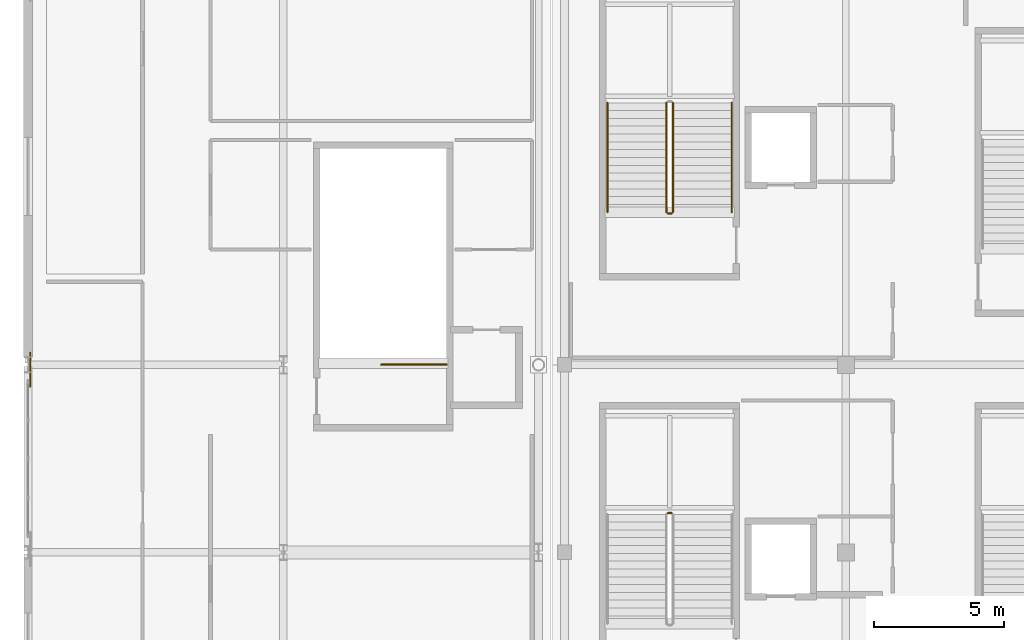
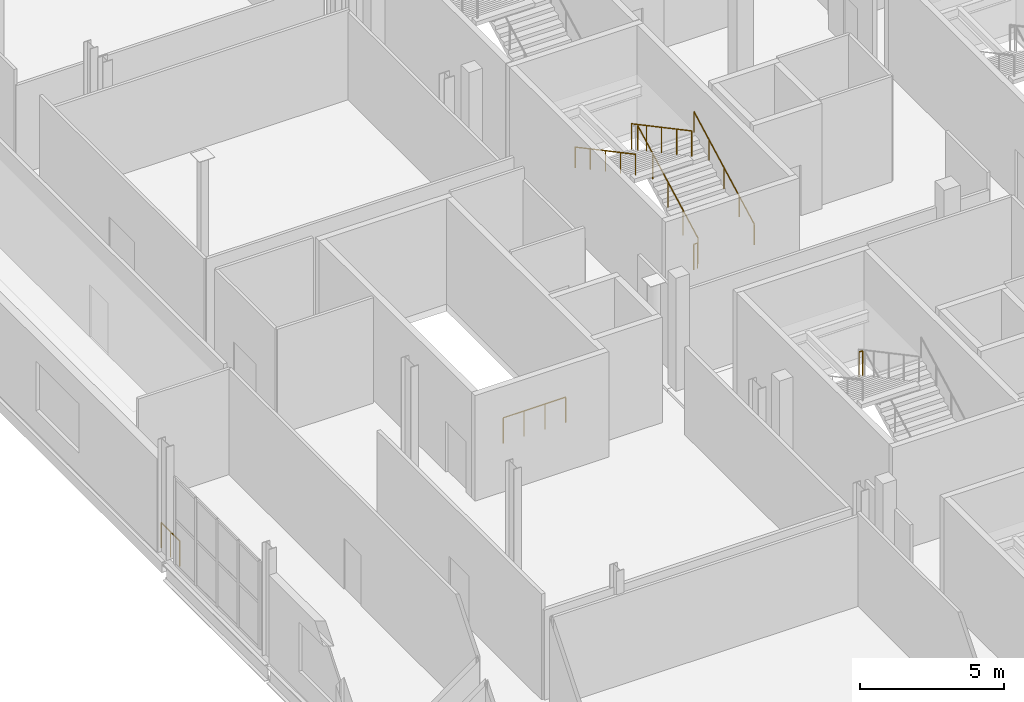
# One storey, part 114 of 142: 8 railings.
"""IFC4 building model written with IfcOpenShell, lengths in metres."""

from ifc_helpers import new_model, si_unit, direction, frame, origin, origin_2d, place, context, subcontext, project, spatial, circle, extrude, material, type_object, element, save


model = new_model("IFC4")

# Units and contexts
model_context = context("Model", 3, precision=1e-05, world=origin(), true_north=direction((0.0, 1.0)))
body_context = subcontext(model_context, "Body", "Model", "MODEL_VIEW")
ifc_project = project(units=[si_unit("LENGTHUNIT", "METRE"), si_unit("AREAUNIT", "SQUARE_METRE"), si_unit("VOLUMEUNIT", "CUBIC_METRE"), si_unit("PLANEANGLEUNIT", "RADIAN"), si_unit("MASSUNIT", "GRAM", prefix="KILO")], contexts=[model_context])

# Site, building, storey
site_placement = place(None, origin())
site = spatial("IfcSite", under=ifc_project, at=site_placement, CompositionType="ELEMENT")
building_placement = place(site_placement, origin())
building = spatial("IfcBuilding", under=site, at=building_placement, Name="Koshinbarg Plaza Stadium", CompositionType="ELEMENT")
storey_placement = place(building_placement, frame((0.0, 0.0, 10.199951171875)))
storey = spatial("IfcBuildingStorey", under=building, at=storey_placement, Name="L02", CompositionType="ELEMENT", Elevation=10.199951171875)

# Railings
ifc_material_1 = material(Name="Toughened laminated glass and stainless steel sightline balustrade", Category="steel")
railing_type_1 = type_object("IfcRailingType", Name="RL-BOWL-1100", PredefinedType="BALUSTRADE", material=ifc_material_1)
railing_1_placement = place(storey_placement, frame((4.080078125, 53.463623046875, 0.0)))
element("IfcRailing", 1, at=railing_1_placement, inside=storey, type_object=railing_type_1, Name="L02 deck edge safety balustrade 0224", PredefinedType="BALUSTRADE", context=body_context, shape_type="SweptSolid", body=[
    extrude(circle(Radius=0.02392578125, at=origin_2d()), frame((0.0, 0.0, 1.076171875), z_axis=(0.0, 1.0, 0.0), x_axis=(-1.0, 0.0, 0.0)), (0.0, 0.0, 1.0), 1.2978515625),
    extrude(circle(Radius=0.02099609375, at=origin_2d()), origin(), (0.0, 0.0, 1.0), 1.052001953125),
    extrude(circle(Radius=0.02099609375, at=origin_2d()), frame((0.0, 0.64892578125, 0.0)), (0.0, 0.0, 1.0), 1.052001953125),
    extrude(circle(Radius=0.02099609375, at=origin_2d()), frame((0.0, 1.2978515625, 0.0)), (0.0, 0.0, 1.0), 1.052001953125),
])
ifc_material_2 = material(Name="Galvanized painted steel guardrail", Category="steel")
railing_type_2 = type_object("IfcRailingType", Name="RL-GUARD-1100", PredefinedType="GUARDRAIL", material=ifc_material_2)
railing_2_placement = place(storey_placement, frame((28.7099609375, 48.610107421875, 2.400146484375)))
element("IfcRailing", 2, at=railing_2_placement, inside=storey, type_object=railing_type_2, Name="L02 C02 stair guard 2", PredefinedType="GUARDRAIL", context=body_context, shape_type="SweptSolid", body=[
    extrude(circle(Radius=0.02392578125, at=origin_2d()), frame((0.0, 0.0, 1.076171875), z_axis=(-1.0, 0.0, 0.0), x_axis=(0.0, -1.0, 0.0)), (0.0, 0.0, 1.0), 0.14990234375),
    extrude(circle(Radius=0.02099609375, at=origin_2d()), origin(), (0.0, 0.0, 1.0), 1.052001953125),
    extrude(circle(Radius=0.02099609375, at=origin_2d()), frame((-0.14990234375, 0.0, 0.0)), (0.0, 0.0, 1.0), 1.052001953125),
])
railing_3_placement = place(storey_placement, frame((28.760009765625, 60.159912109375, 0.16015625)))
element("IfcRailing", 3, at=railing_3_placement, inside=storey, type_object=railing_type_2, Name="L02 C03 stair guard 1", PredefinedType="GUARDRAIL", context=body_context, shape_type="SweptSolid", body=[
    extrude(circle(Radius=0.02392578125, at=origin_2d()), frame((0.0, 0.0, 1.076171875), z_axis=(0.0, 0.882362879185, 0.470569601054), x_axis=(-1.0, 0.0, 0.0)), (0.0, 0.0, 1.0), 4.76025390625),
    extrude(circle(Radius=0.02099609375, at=origin_2d()), origin(), (0.0, 0.0, 1.0), 1.052001953125),
    extrude(circle(Radius=0.02099609375, at=origin_2d()), frame((0.0, 1.050048828125, 0.56005859375)), (0.0, 0.0, 1.0), 1.052001953125),
    extrude(circle(Radius=0.02099609375, at=origin_2d()), frame((0.0, 2.10009765625, 1.1201171875)), (0.0, 0.0, 1.0), 1.052001953125),
    extrude(circle(Radius=0.02099609375, at=origin_2d()), frame((0.0, 3.150146484375, 1.679931640625)), (0.0, 0.0, 1.0), 1.052001953125),
    extrude(circle(Radius=0.02099609375, at=origin_2d()), frame((0.0, 4.2001953125, 2.239990234375)), (0.0, 0.0, 1.0), 1.052001953125),
])
railing_4_placement = place(storey_placement, frame((28.510009765625, 64.360107421875, 2.56005859375)))
element("IfcRailing", 4, at=railing_4_placement, inside=storey, type_object=railing_type_2, Name="L02 C03 stair guard 3", PredefinedType="GUARDRAIL", context=body_context, shape_type="SweptSolid", body=[
    extrude(circle(Radius=0.02392578125, at=origin_2d()), frame((0.0, 0.0, 1.076171875), z_axis=(0.0, -0.882362879185, 0.470569601054), x_axis=(1.0, 0.0, 0.0)), (0.0, 0.0, 1.0), 4.76025390625),
    extrude(circle(Radius=0.02099609375, at=origin_2d()), origin(), (0.0, 0.0, 1.0), 1.052001953125),
    extrude(circle(Radius=0.02099609375, at=origin_2d()), frame((0.0, -1.050048828125, 0.56005859375)), (0.0, 0.0, 1.0), 1.052001953125),
    extrude(circle(Radius=0.02099609375, at=origin_2d()), frame((0.0, -2.10009765625, 1.1201171875)), (0.0, 0.0, 1.0), 1.052001953125),
    extrude(circle(Radius=0.02099609375, at=origin_2d()), frame((0.0, -3.150146484375, 1.679931640625)), (0.0, 0.0, 1.0), 1.052001953125),
    extrude(circle(Radius=0.02099609375, at=origin_2d()), frame((0.0, -4.2001953125, 2.239990234375)), (0.0, 0.0, 1.0), 1.052001953125),
])
railing_5_placement = place(storey_placement, frame((28.7099609375, 60.110107421875, 0.0)))
element("IfcRailing", 5, at=railing_5_placement, inside=storey, type_object=railing_type_2, Name="L02 C03 stair guard 4", PredefinedType="GUARDRAIL", context=body_context, shape_type="SweptSolid", body=[
    extrude(circle(Radius=0.02392578125, at=origin_2d()), frame((0.0, 0.0, 1.076171875), z_axis=(-1.0, 0.0, 0.0), x_axis=(0.0, -1.0, 0.0)), (0.0, 0.0, 1.0), 0.14990234375),
    extrude(circle(Radius=0.02099609375, at=origin_2d()), origin(), (0.0, 0.0, 1.0), 1.052001953125),
    extrude(circle(Radius=0.02099609375, at=origin_2d()), frame((-0.14990234375, 0.0, 0.0)), (0.0, 0.0, 1.0), 1.052001953125),
])
railing_6_placement = place(storey_placement, frame((20.070068359375, 54.31005859375, 0.0)))
element("IfcRailing", 6, at=railing_6_placement, inside=storey, type_object=railing_type_2, Name="L02 C16 top stairwell guard 1", PredefinedType="GUARDRAIL", context=body_context, shape_type="SweptSolid", body=[
    extrude(circle(Radius=0.02392578125, at=origin_2d()), frame((0.0, 0.0, 1.076171875), z_axis=(-1.0, 0.0, 0.0), x_axis=(0.0, -1.0, 0.0)), (0.0, 0.0, 1.0), 2.510009765625),
    extrude(circle(Radius=0.02099609375, at=origin_2d()), origin(), (0.0, 0.0, 1.0), 1.052001953125),
    extrude(circle(Radius=0.02099609375, at=origin_2d()), frame((-0.836669921875, 0.0, 0.0)), (0.0, 0.0, 1.0), 1.052001953125),
    extrude(circle(Radius=0.02099609375, at=origin_2d()), frame((-1.67333984375, 0.0, 0.0)), (0.0, 0.0, 1.0), 1.052001953125),
    extrude(circle(Radius=0.02099609375, at=origin_2d()), frame((-2.510009765625, 0.0, 0.0)), (0.0, 0.0, 1.0), 1.052001953125),
])
ifc_material_3 = material(Name="Brushed stainless steel handrail", Category="steel")
railing_type_3 = type_object("IfcRailingType", Name="RL-HAND-900", PredefinedType="HANDRAIL", material=ifc_material_3)
railing_7_placement = place(storey_placement, frame((31.02001953125, 60.159912109375, 0.16015625)))
element("IfcRailing", 7, at=railing_7_placement, inside=storey, type_object=railing_type_3, Name="L02 C03 stair handrail 1", PredefinedType="HANDRAIL", context=body_context, shape_type="SweptSolid", body=[
    extrude(circle(Radius=0.02392578125, at=origin_2d()), frame((0.0, 0.0, 0.8759765625), z_axis=(0.0, 0.882362879185, 0.470569601054), x_axis=(-1.0, 0.0, 0.0)), (0.0, 0.0, 1.0), 4.76025390625),
    extrude(circle(Radius=0.02099609375, at=origin_2d()), origin(), (0.0, 0.0, 1.0), 0.851806640625),
    extrude(circle(Radius=0.02099609375, at=origin_2d()), frame((0.0, 1.050048828125, 0.56005859375)), (0.0, 0.0, 1.0), 0.851806640625),
    extrude(circle(Radius=0.02099609375, at=origin_2d()), frame((0.0, 2.10009765625, 1.1201171875)), (0.0, 0.0, 1.0), 0.851806640625),
    extrude(circle(Radius=0.02099609375, at=origin_2d()), frame((0.0, 3.150146484375, 1.679931640625)), (0.0, 0.0, 1.0), 0.851806640625),
    extrude(circle(Radius=0.02099609375, at=origin_2d()), frame((0.0, 4.2001953125, 2.239990234375)), (0.0, 0.0, 1.0), 0.851806640625),
])
railing_8_placement = place(storey_placement, frame((26.25, 64.360107421875, 2.56005859375)))
element("IfcRailing", 8, at=railing_8_placement, inside=storey, type_object=railing_type_3, Name="L02 C03 stair handrail 2", PredefinedType="HANDRAIL", context=body_context, shape_type="SweptSolid", body=[
    extrude(circle(Radius=0.02392578125, at=origin_2d()), frame((0.0, 0.0, 0.8759765625), z_axis=(0.0, -0.882362879185, 0.470569601054), x_axis=(1.0, 0.0, 0.0)), (0.0, 0.0, 1.0), 4.76025390625),
    extrude(circle(Radius=0.02099609375, at=origin_2d()), origin(), (0.0, 0.0, 1.0), 0.851806640625),
    extrude(circle(Radius=0.02099609375, at=origin_2d()), frame((0.0, -1.050048828125, 0.56005859375)), (0.0, 0.0, 1.0), 0.851806640625),
    extrude(circle(Radius=0.02099609375, at=origin_2d()), frame((0.0, -2.10009765625, 1.1201171875)), (0.0, 0.0, 1.0), 0.851806640625),
    extrude(circle(Radius=0.02099609375, at=origin_2d()), frame((0.0, -3.150146484375, 1.679931640625)), (0.0, 0.0, 1.0), 0.851806640625),
    extrude(circle(Radius=0.02099609375, at=origin_2d()), frame((0.0, -4.2001953125, 2.239990234375)), (0.0, 0.0, 1.0), 0.851806640625),
])

save(model, "model.ifc")
